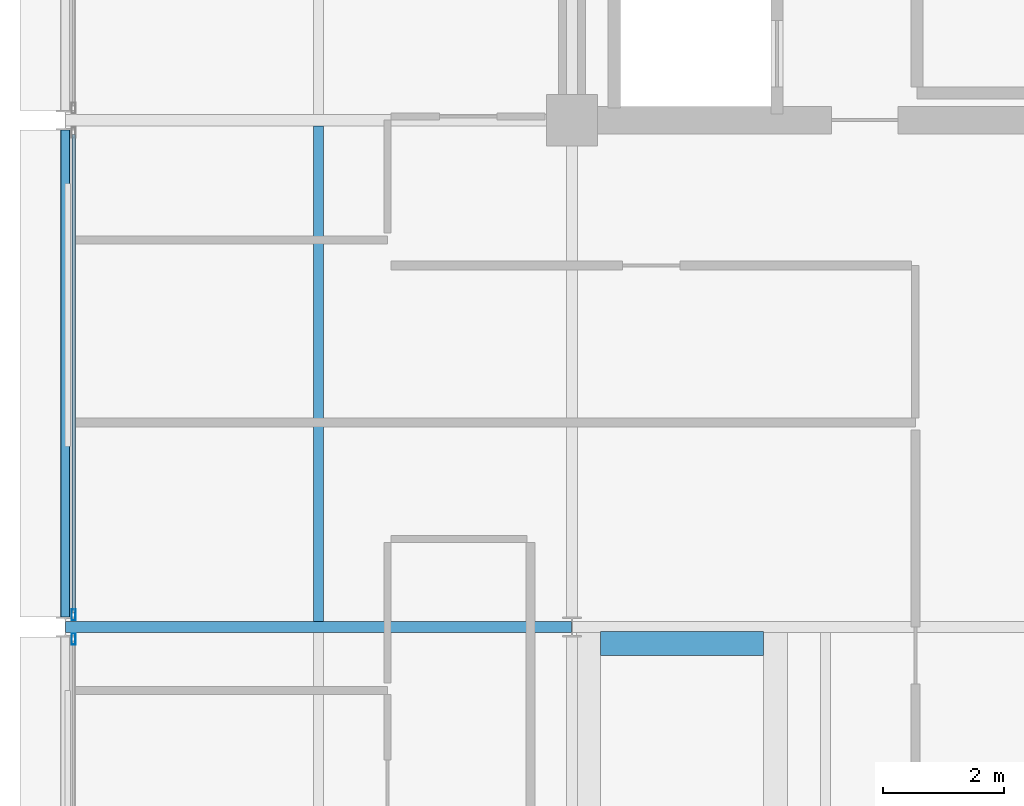
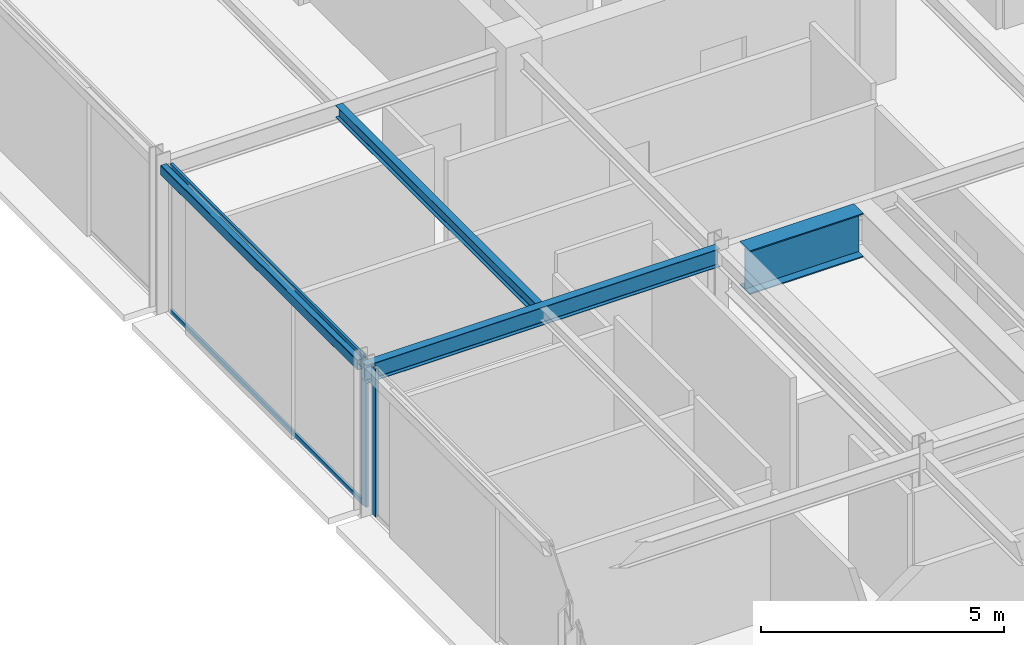
# One storey, part 9 of 25: 4 beams, 4 members, 2 elements without a shape of their own.
"""IFC4 building model written with IfcOpenShell, lengths in metres."""

from ifc_helpers import new_model, si_unit, direction, frame, origin, origin_2d, place, context, subcontext, project, spatial, hollow_rectangle, i_section, extrude, material, layer, layer_set, material_profile, profile_set, type_object, element, aggregate, save


model = new_model("IFC4")

# Units and contexts
model_context = context("Model", 3, precision=1e-05, world=origin(), true_north=direction((0.0, 1.0)))
body_context = subcontext(model_context, "Body", "Model", "MODEL_VIEW")
ifc_project = project(units=[si_unit("LENGTHUNIT", "METRE"), si_unit("AREAUNIT", "SQUARE_METRE"), si_unit("VOLUMEUNIT", "CUBIC_METRE"), si_unit("PLANEANGLEUNIT", "RADIAN"), si_unit("MASSUNIT", "GRAM", prefix="KILO")], contexts=[model_context])

# Site, building, storey
site_placement = place(None, origin())
site = spatial("IfcSite", under=ifc_project, at=site_placement, CompositionType="ELEMENT")
building_placement = place(site_placement, origin())
building = spatial("IfcBuilding", under=site, at=building_placement, Name="Nerrivon Quay Data Exchange", CompositionType="ELEMENT")
storey_placement = place(building_placement, frame((0.0, 0.0, 314.199951171875)))
storey = spatial("IfcBuildingStorey", under=building, at=storey_placement, Name="L75", CompositionType="ELEMENT", Elevation=314.199951171875)

# Beams
ifc_material_1 = material(Name="Steel Grade 350", Category="steel")
ifc_material_profile_1 = material_profile(ifc_material_1, i_section(OverallWidth=0.18994140625, OverallDepth=0.4541015625, WebThickness=0.008544921875, FlangeThickness=0.0126953125, FilletRadius=0.011474609375, at=origin_2d()), Name="460UB67.1")
ifc_profile_set_1 = profile_set([ifc_material_profile_1], Name="Steel Grade 350")
beam_type_1 = type_object("IfcBeamType", Name="BM-G6-460UB67", PredefinedType="BEAM", material=ifc_profile_set_1)
beam_1_placement = place(storey_placement, frame((0.0078125, 16.800048828125, 3.498046875), z_axis=(1.0, 0.0, 0.0), x_axis=(0.0, 1.0, 0.0)))
element("IfcBeam", 1, at=beam_1_placement, inside=storey, type_object=beam_type_1, Name="L75 EW Girder Y=16.8 (0.0..8.4)", PredefinedType="BEAM", context=body_context, shape_type="SweptSolid", body=[
    extrude(i_section(OverallWidth=0.18994140625, OverallDepth=0.4541015625, WebThickness=0.008544921875, FlangeThickness=0.0126953125, FilletRadius=0.011474609375, at=origin_2d()), origin(), (0.0, 0.0, 1.0), 8.38427734375),
])
ifc_material_profile_2 = material_profile(ifc_material_1, i_section(OverallWidth=0.1650390625, OverallDepth=0.303955078125, WebThickness=0.006103515625, FlangeThickness=0.01025390625, FilletRadius=0.011474609375, at=origin_2d()), Name="310UB40.4")
ifc_profile_set_2 = profile_set([ifc_material_profile_2], Name="Steel Grade 350")
beam_type_2 = type_object("IfcBeamType", Name="BM-J6-310UB40", PredefinedType="JOIST", material=ifc_profile_set_2)
beam_2_placement = place(storey_placement, frame((4.199951171875, 16.89501953125, 3.572998046875), z_axis=(0.0, 1.0, 0.0), x_axis=(-1.0, 0.0, 0.0)))
element("IfcBeam", 2, at=beam_2_placement, inside=storey, type_object=beam_type_2, Name="L75 Secondary Joist X=4.2 (16.8..25.2)", PredefinedType="JOIST", context=body_context, shape_type="SweptSolid", body=[
    extrude(i_section(OverallWidth=0.1650390625, OverallDepth=0.303955078125, WebThickness=0.006103515625, FlangeThickness=0.01025390625, FilletRadius=0.011474609375, at=origin_2d()), origin(), (0.0, 0.0, 1.0), 8.2099609375),
])
ifc_material_2 = material(Name="Steel Grade C350L0 (350 MPa)", Category="steel")
ifc_material_profile_3 = material_profile(ifc_material_2, hollow_rectangle(XDim=0.14990234375, YDim=0.25, WallThickness=0.009033203125, InnerFilletRadius=0.013427734375, OuterFilletRadius=0.0224609375, at=origin_2d()), Name="250x150x9.0RHS")
ifc_profile_set_3 = profile_set([ifc_material_profile_3], Name="Steel Grade C350L0 (350 MPa)")
beam_type_3 = type_object("IfcBeamType", Name="BM-SP4-250x150RHS", PredefinedType="SPANDREL", material=ifc_profile_set_3)
beam_3_placement = place(storey_placement, frame((0.0, 16.96337890625, 3.60009765625), z_axis=(0.0, 1.0, 0.0), x_axis=(-1.0, 0.0, 0.0)))
element("IfcBeam", 3, at=beam_3_placement, inside=storey, type_object=beam_type_3, Name="L75 NS Girder X=0.0 (16.8..25.2)", PredefinedType="SPANDREL", context=body_context, shape_type="SweptSolid", body=[
    extrude(hollow_rectangle(XDim=0.14990234375, YDim=0.25, WallThickness=0.009033203125, InnerFilletRadius=0.013427734375, OuterFilletRadius=0.0224609375, at=origin_2d()), origin(), (0.0, 0.0, 1.0), 8.0732421875),
])
ifc_material_profile_4 = material_profile(ifc_material_1, i_section(OverallWidth=0.39990234375, OverallDepth=1.10009765625, WebThickness=0.01611328125, FlangeThickness=0.028076171875, at=origin_2d()), Name="1100WB288")
ifc_profile_set_4 = profile_set([ifc_material_profile_4], Name="Steel Grade 350")
beam_type_4 = type_object("IfcBeamType", Name="BM-TG2-1100WB", PredefinedType="USERDEFINED", material=ifc_profile_set_4)
beam_4_placement = place(storey_placement, frame((8.875, 16.52490234375, 3.175048828125), z_axis=(1.0, 0.0, 0.0), x_axis=(0.0, 1.0, 0.0)))
element("IfcBeam", 4, at=beam_4_placement, inside=storey, type_object=beam_type_4, Name="L75 Crown Stair ST08 Cross Transfer Girder N", ObjectType="TRANSFER", PredefinedType="USERDEFINED", context=body_context, shape_type="SweptSolid", body=[
    extrude(i_section(OverallWidth=0.39990234375, OverallDepth=1.10009765625, WebThickness=0.01611328125, FlangeThickness=0.028076171875, at=origin_2d()), origin(), (0.0, 0.0, 1.0), 2.699951171875),
])

# Curtain wall, member
ifc_material_3 = material(Name="Anodised aluminium 6063-T6", Category="aluminium")
ifc_layer = layer(ifc_material_3, 0.195068359375)
ifc_layer_set = layer_set([ifc_layer], Name="Anodised aluminium 6063-T6")
curtain_wall_type = type_object("IfcCurtainWallType", Name="CW-SYS-06", PredefinedType="NOTDEFINED", material=ifc_layer_set)
curtain_wall_1_placement = place(storey_placement, origin())
curtain_wall_1 = element("IfcCurtainWall", 5, at=curtain_wall_1_placement, inside=storey, type_object=curtain_wall_type, Name="L75 Unitised Curtain Wall 9", PredefinedType="NOTDEFINED")
ifc_material_profile_5 = material_profile(ifc_material_3, hollow_rectangle(XDim=0.06494140625, YDim=0.179931640625, WallThickness=0.00341796875, at=origin_2d()), Name="ALU-MULL-180x65")
ifc_profile_set_5 = profile_set([ifc_material_profile_5], Name="Anodised aluminium 6063-T6")
member_type_1 = type_object("IfcMemberType", Name="CWM-180x65", PredefinedType="MULLION", material=ifc_profile_set_5)
member_1_placement = place(storey_placement, frame((0.139892578125, 16.59912109375, 0.0), z_axis=(0.0, 0.0, 1.0), x_axis=(-1.0, 0.0, 0.0)))
member_1 = element("IfcMember", 6, at=member_1_placement, type_object=member_type_1, Name="CW06 mullion 2", PredefinedType="MULLION", context=body_context, shape_type="SweptSolid", body=[
    extrude(hollow_rectangle(XDim=0.06494140625, YDim=0.179931640625, WallThickness=0.00341796875, at=origin_2d()), origin(), (0.0, 0.0, 1.0), 3.72509765625),
])
aggregate(curtain_wall_1, [member_1])

# Curtain wall, members
curtain_wall_2_placement = place(storey_placement, origin())
curtain_wall_2 = element("IfcCurtainWall", 7, at=curtain_wall_2_placement, inside=storey, type_object=curtain_wall_type, Name="L75 Unitised Curtain Wall 10", PredefinedType="NOTDEFINED")
member_2_placement = place(storey_placement, frame((0.139892578125, 17.0009765625, 0.0), z_axis=(0.0, 0.0, 1.0), x_axis=(-1.0, 0.0, 0.0)))
member_2 = element("IfcMember", 8, at=member_2_placement, type_object=member_type_1, Name="CW06 mullion 1", PredefinedType="MULLION", context=body_context, shape_type="SweptSolid", body=[
    extrude(hollow_rectangle(XDim=0.06494140625, YDim=0.179931640625, WallThickness=0.00341796875, at=origin_2d()), origin(), (0.0, 0.0, 1.0), 3.72509765625),
])
ifc_material_profile_6 = material_profile(ifc_material_3, hollow_rectangle(XDim=0.06005859375, YDim=0.1201171875, WallThickness=0.003173828125, at=origin_2d()), Name="ALU-TRAN-120x60")
ifc_profile_set_6 = profile_set([ifc_material_profile_6], Name="Anodised aluminium 6063-T6")
member_type_2 = type_object("IfcMemberType", Name="CWT-120x60", PredefinedType="USERDEFINED", material=ifc_profile_set_6)
member_3_placement = place(storey_placement, frame((0.139892578125, 17.03857421875, 0.032470703125), z_axis=(0.0, 1.0, 0.0), x_axis=(-1.0, 0.0, 0.0)))
member_3 = element("IfcMember", 9, at=member_3_placement, type_object=member_type_2, Name="CW06 transom 1.1", ObjectType="TRANSOM", PredefinedType="USERDEFINED", context=body_context, shape_type="SweptSolid", body=[
    extrude(hollow_rectangle(XDim=0.06005859375, YDim=0.1201171875, WallThickness=0.003173828125, at=origin_2d()), origin(), (0.0, 0.0, 1.0), 7.9228515625),
])
member_4_placement = place(storey_placement, frame((0.139892578125, 17.03857421875, 3.692626953125), z_axis=(0.0, 1.0, 0.0), x_axis=(-1.0, 0.0, 0.0)))
member_4 = element("IfcMember", 10, at=member_4_placement, type_object=member_type_2, Name="CW06 transom 1.2", ObjectType="TRANSOM", PredefinedType="USERDEFINED", context=body_context, shape_type="SweptSolid", body=[
    extrude(hollow_rectangle(XDim=0.06005859375, YDim=0.1201171875, WallThickness=0.003173828125, at=origin_2d()), origin(), (0.0, 0.0, 1.0), 7.9228515625),
])
aggregate(curtain_wall_2, [member_2, member_3, member_4])

save(model, "model.ifc")
